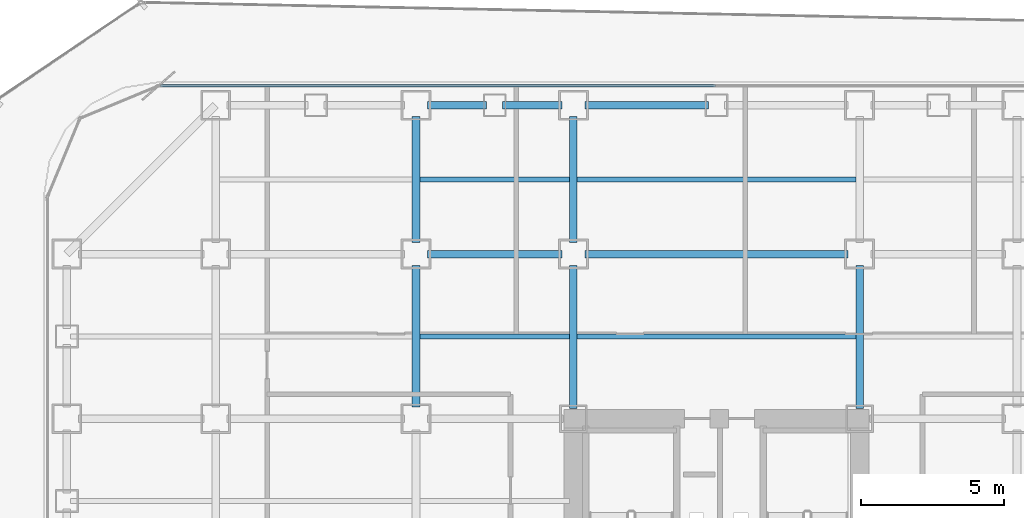
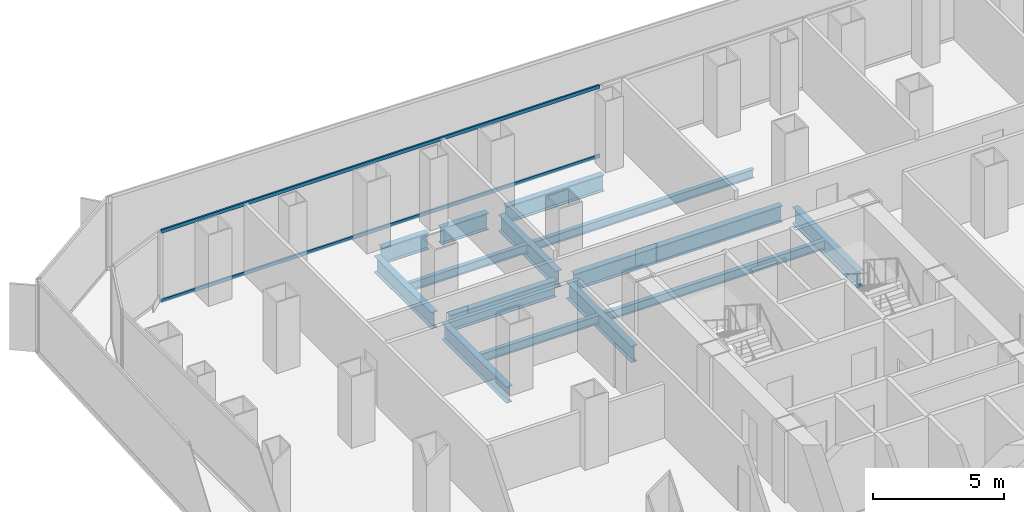
# One storey, part 12 of 22: 14 beams, 2 members, 1 element without a shape of its own.
"""IFC4 building model written with IfcOpenShell, lengths in metres."""

from ifc_helpers import new_model, si_unit, direction, frame, origin, origin_2d, place, context, subcontext, project, spatial, hollow_rectangle, i_section, extrude, source, transform, mapped, material, layer, layer_set, material_profile, profile_set, type_object, element, aggregate, save


model = new_model("IFC4")

# Units and contexts
model_context = context("Model", 3, precision=1e-05, world=origin(), true_north=direction((0.0, 1.0)))
body_context = subcontext(model_context, "Body", "Model", "MODEL_VIEW")
ifc_project = project(units=[si_unit("LENGTHUNIT", "METRE"), si_unit("AREAUNIT", "SQUARE_METRE"), si_unit("VOLUMEUNIT", "CUBIC_METRE"), si_unit("PLANEANGLEUNIT", "RADIAN"), si_unit("MASSUNIT", "GRAM", prefix="KILO")], contexts=[model_context])

# Site, building, storey
site_placement = place(None, origin())
site = spatial("IfcSite", under=ifc_project, at=site_placement, CompositionType="ELEMENT")
building_placement = place(site_placement, origin())
building = spatial("IfcBuilding", under=site, at=building_placement, Name="Kolveth Station Tower", CompositionType="ELEMENT")
storey_placement = place(building_placement, frame((0.0, 0.0, 65.699951171875)))
storey = spatial("IfcBuildingStorey", under=building, at=storey_placement, Name="L17", CompositionType="ELEMENT", Elevation=65.699951171875)

# Beams
ifc_material_1 = material(Name="Steel S355", Category="steel")
ifc_material_profile_1 = material_profile(ifc_material_1, i_section(OverallWidth=0.26904296875, OverallDepth=0.77490234375, WebThickness=0.01708984375, FlangeThickness=0.0283203125, at=origin_2d()), Name="W760x220")
ifc_profile_set_1 = profile_set([ifc_material_profile_1], Name="Steel S355")
beam_type_1 = type_object("IfcBeamType", Name="Beam_SP1", PredefinedType="SPANDREL", material=ifc_profile_set_1)
shared_shape_1 = source(origin(), body_context, "Body", "SweptSolid", [
    extrude(i_section(OverallWidth=0.26904296875, OverallDepth=0.77490234375, WebThickness=0.01708984375, FlangeThickness=0.0283203125, at=origin_2d()), origin(), (0.0, 0.0, 1.0), 2.070068359375),
])
for number, where, z_axis, x_axis, name in (
    (1, (13.39990234375, 39.699951171875, -0.66748046875), (1.0, 0.0, 0.0), (0.0, 1.0, 0.0), "L17 Perimeter Spandrel BM-L17-PN-3"),
    (2, (16.030029296875, 39.699951171875, -0.66748046875), (1.0, 0.0, 0.0), (0.0, 1.0, 0.0), "L17 Perimeter Spandrel BM-L17-PN-4"),
):
    element("IfcBeam", number, at=place(storey_placement, frame(where, z_axis=z_axis, x_axis=x_axis)), inside=storey, type_object=beam_type_1, Name=name, PredefinedType="SPANDREL", context=body_context, shape_type="MappedRepresentation", body=[
        mapped(shared_shape_1, transform((0.0, 0.0, 0.0), x_axis=(1.0, 0.0, 0.0), y_axis=(0.0, 1.0, 0.0), z_axis=(0.0, 0.0, 1.0), scale=1.0)),
    ])
shared_shape_2 = source(origin(), body_context, "Body", "SweptSolid", [
    extrude(i_section(OverallWidth=0.26904296875, OverallDepth=0.77490234375, WebThickness=0.01708984375, FlangeThickness=0.0283203125, at=origin_2d()), origin(), (0.0, 0.0, 1.0), 4.320068359375),
])
beam_1_placement = place(storey_placement, frame((18.89990234375, 39.699951171875, -0.66748046875), z_axis=(1.0, 0.0, 0.0), x_axis=(0.0, 1.0, 0.0)))
element("IfcBeam", 3, at=beam_1_placement, inside=storey, type_object=beam_type_1, Name="L17 Perimeter Spandrel BM-L17-PN-5", PredefinedType="SPANDREL", context=body_context, shape_type="MappedRepresentation", body=[
    mapped(shared_shape_2, transform((0.0, 0.0, 0.0), x_axis=(1.0, 0.0, 0.0), y_axis=(0.0, 1.0, 0.0), z_axis=(0.0, 0.0, 1.0), scale=1.0)),
])
ifc_material_profile_2 = material_profile(ifc_material_1, i_section(OverallWidth=0.26708984375, OverallDepth=0.76611328125, WebThickness=0.014892578125, FlangeThickness=0.023681640625, at=origin_2d()), Name="W760x185")
ifc_profile_set_2 = profile_set([ifc_material_profile_2], Name="Steel S355")
beam_type_2 = type_object("IfcBeamType", Name="Beam_B3", PredefinedType="BEAM", material=ifc_profile_set_2)
shared_shape_3 = source(origin(), body_context, "Body", "SweptSolid", [
    extrude(i_section(OverallWidth=0.26708984375, OverallDepth=0.76611328125, WebThickness=0.014892578125, FlangeThickness=0.023681640625, at=origin_2d()), origin(), (0.0, 0.0, 1.0), 4.400146484375),
])
for number, where, z_axis, x_axis, name in (
    (4, (13.0, 34.89990234375, -0.662841796875), (0.0, 1.0, 0.0), (-1.0, 0.0, 0.0), "L17 Primary Girder BM-L17-GX130-7"),
    (5, (18.5, 34.89990234375, -0.662841796875), (0.0, 1.0, 0.0), (-1.0, 0.0, 0.0), "L17 Primary Girder BM-L17-GX185-7"),
):
    element("IfcBeam", number, at=place(storey_placement, frame(where, z_axis=z_axis, x_axis=x_axis)), inside=storey, type_object=beam_type_2, Name=name, PredefinedType="BEAM", context=body_context, shape_type="MappedRepresentation", body=[
        mapped(shared_shape_3, transform((0.0, 0.0, 0.0), x_axis=(1.0, 0.0, 0.0), y_axis=(0.0, 1.0, 0.0), z_axis=(0.0, 0.0, 1.0), scale=1.0)),
    ])
shared_shape_4 = source(origin(), body_context, "Body", "SweptSolid", [
    extrude(i_section(OverallWidth=0.26708984375, OverallDepth=0.76611328125, WebThickness=0.014892578125, FlangeThickness=0.023681640625, at=origin_2d()), origin(), (0.0, 0.0, 1.0), 4.7001953125),
])
beam_2_placement = place(storey_placement, frame((13.39990234375, 34.5, -0.662841796875), z_axis=(1.0, 0.0, 0.0), x_axis=(0.0, 1.0, 0.0)))
element("IfcBeam", 6, at=beam_2_placement, inside=storey, type_object=beam_type_2, Name="L17 Primary Girder BM-L17-GY345-3", PredefinedType="BEAM", context=body_context, shape_type="MappedRepresentation", body=[
    mapped(shared_shape_4, transform((0.0, 0.0, 0.0), x_axis=(1.0, 0.0, 0.0), y_axis=(0.0, 1.0, 0.0), z_axis=(0.0, 0.0, 1.0), scale=1.0)),
])
shared_shape_5 = source(origin(), body_context, "Body", "SweptSolid", [
    extrude(i_section(OverallWidth=0.26708984375, OverallDepth=0.76611328125, WebThickness=0.014892578125, FlangeThickness=0.023681640625, at=origin_2d()), origin(), (0.0, 0.0, 1.0), 9.2001953125),
])
beam_3_placement = place(storey_placement, frame((18.89990234375, 34.5, -0.662841796875), z_axis=(1.0, 0.0, 0.0), x_axis=(0.0, 1.0, 0.0)))
element("IfcBeam", 7, at=beam_3_placement, inside=storey, type_object=beam_type_2, Name="L17 Primary Girder BM-L17-GY345-4", PredefinedType="BEAM", context=body_context, shape_type="MappedRepresentation", body=[
    mapped(shared_shape_5, transform((0.0, 0.0, 0.0), x_axis=(1.0, 0.0, 0.0), y_axis=(0.0, 1.0, 0.0), z_axis=(0.0, 0.0, 1.0), scale=1.0)),
])
shared_shape_6 = source(origin(), body_context, "Body", "SweptSolid", [
    extrude(i_section(OverallWidth=0.26708984375, OverallDepth=0.76611328125, WebThickness=0.014892578125, FlangeThickness=0.023681640625, at=origin_2d()), origin(), (0.0, 0.0, 1.0), 4.9501953125),
])
beam_4_placement = place(storey_placement, frame((13.0, 29.14990234375, -0.662841796875), z_axis=(0.0, 1.0, 0.0), x_axis=(-1.0, 0.0, 0.0)))
element("IfcBeam", 8, at=beam_4_placement, inside=storey, type_object=beam_type_2, Name="L17 Primary Girder BM-L17-GX130-6", PredefinedType="BEAM", context=body_context, shape_type="MappedRepresentation", body=[
    mapped(shared_shape_6, transform((0.0, 0.0, 0.0), x_axis=(1.0, 0.0, 0.0), y_axis=(0.0, 1.0, 0.0), z_axis=(0.0, 0.0, 1.0), scale=1.0)),
])
shared_shape_7 = source(origin(), body_context, "Body", "SweptSolid", [
    extrude(i_section(OverallWidth=0.26708984375, OverallDepth=0.76611328125, WebThickness=0.014892578125, FlangeThickness=0.023681640625, at=origin_2d()), origin(), (0.0, 0.0, 1.0), 4.989990234375),
])
for number, where, z_axis, x_axis, name in (
    (9, (18.5, 29.110107421875, -0.662841796875), (0.0, 1.0, 0.0), (-1.0, 0.0, 0.0), "L17 Primary Girder BM-L17-GX185-6"),
    (10, (28.5, 29.110107421875, -0.662841796875), (0.0, 1.0, 0.0), (-1.0, 0.0, 0.0), "L17 Primary Girder BM-L17-GX285-6"),
):
    element("IfcBeam", number, at=place(storey_placement, frame(where, z_axis=z_axis, x_axis=x_axis)), inside=storey, type_object=beam_type_2, Name=name, PredefinedType="BEAM", context=body_context, shape_type="MappedRepresentation", body=[
        mapped(shared_shape_7, transform((0.0, 0.0, 0.0), x_axis=(1.0, 0.0, 0.0), y_axis=(0.0, 1.0, 0.0), z_axis=(0.0, 0.0, 1.0), scale=1.0)),
    ])
ifc_material_profile_3 = material_profile(ifc_material_1, i_section(OverallWidth=0.177978515625, OverallDepth=0.406982421875, WebThickness=0.0078125, FlangeThickness=0.0126953125, at=origin_2d()), Name="W410x60")
ifc_profile_set_3 = profile_set([ifc_material_profile_3], Name="Steel S355")
beam_type_3 = type_object("IfcBeamType", Name="Beam_J1", PredefinedType="JOIST", material=ifc_profile_set_3)
shared_shape_8 = source(origin(), body_context, "Body", "SweptSolid", [
    extrude(i_section(OverallWidth=0.177978515625, OverallDepth=0.406982421875, WebThickness=0.0078125, FlangeThickness=0.0126953125, at=origin_2d()), origin(), (0.0, 0.0, 1.0), 5.23681640625),
])
for number, where, z_axis, x_axis, name in (
    (11, (13.131591796875, 31.625, -0.4833984375), (1.0, 0.0, 0.0), (0.0, 1.0, 0.0), "L17 Secondary Joist JST-L17-3-6"),
    (12, (13.131591796875, 37.10009765625, -0.4833984375), (1.0, 0.0, 0.0), (0.0, 1.0, 0.0), "L17 Secondary Joist JST-L17-3-7"),
):
    element("IfcBeam", number, at=place(storey_placement, frame(where, z_axis=z_axis, x_axis=x_axis)), inside=storey, type_object=beam_type_3, Name=name, PredefinedType="JOIST", context=body_context, shape_type="MappedRepresentation", body=[
        mapped(shared_shape_8, transform((0.0, 0.0, 0.0), x_axis=(1.0, 0.0, 0.0), y_axis=(0.0, 1.0, 0.0), z_axis=(0.0, 0.0, 1.0), scale=1.0)),
    ])
shared_shape_9 = source(origin(), body_context, "Body", "SweptSolid", [
    extrude(i_section(OverallWidth=0.177978515625, OverallDepth=0.406982421875, WebThickness=0.0078125, FlangeThickness=0.0126953125, at=origin_2d()), origin(), (0.0, 0.0, 1.0), 9.73681640625),
])
for number, where, z_axis, x_axis, name in (
    (13, (18.631591796875, 31.625, -0.4833984375), (1.0, 0.0, 0.0), (0.0, 1.0, 0.0), "L17 Secondary Joist JST-L17-4-6"),
    (14, (18.631591796875, 37.10009765625, -0.4833984375), (1.0, 0.0, 0.0), (0.0, 1.0, 0.0), "L17 Secondary Joist JST-L17-4-7"),
):
    element("IfcBeam", number, at=place(storey_placement, frame(where, z_axis=z_axis, x_axis=x_axis)), inside=storey, type_object=beam_type_3, Name=name, PredefinedType="JOIST", context=body_context, shape_type="MappedRepresentation", body=[
        mapped(shared_shape_9, transform((0.0, 0.0, 0.0), x_axis=(1.0, 0.0, 0.0), y_axis=(0.0, 1.0, 0.0), z_axis=(0.0, 0.0, 1.0), scale=1.0)),
    ])

# Curtain wall, members
ifc_material_2 = material(Name="Aluminium 6063-T6 and low-E dark glass", Category="aluminium")
ifc_layer = layer(ifc_material_2, 0.179931640625)
ifc_layer_set = layer_set([ifc_layer], Name="Aluminium 6063-T6 and low-E dark glass")
curtain_wall_type = type_object("IfcCurtainWallType", Name="CurtainWall_CW-Z1", PredefinedType="NOTDEFINED", material=ifc_layer_set)
curtain_wall_placement = place(storey_placement, origin())
curtain_wall = element("IfcCurtainWall", 15, at=curtain_wall_placement, inside=storey, type_object=curtain_wall_type, Name="L17 Inner Thermal Curtain Wall 6", PredefinedType="NOTDEFINED")
ifc_material_3 = material(Name="Black anodized aluminium 6063-T6", Category="aluminium")
ifc_material_profile_4 = material_profile(ifc_material_3, hollow_rectangle(XDim=0.074951171875, YDim=0.159912109375, WallThickness=0.0048828125, at=origin_2d()), Name="ALU-75x160x5")
ifc_profile_set_4 = profile_set([ifc_material_profile_4], Name="Black anodized aluminium 6063-T6")
member_type = type_object("IfcMemberType", Name="Transom_TR1", PredefinedType="USERDEFINED", material=ifc_profile_set_4)
shared_shape_10 = source(origin(), body_context, "Body", "SweptSolid", [
    extrude(hollow_rectangle(XDim=0.074951171875, YDim=0.159912109375, WallThickness=0.0048828125, at=origin_2d()), origin(), (0.0, 0.0, 1.0), 19.387451171875),
])
member_1_placement = place(storey_placement, frame((23.46240234375, 40.3798828125, 0.03759765625), z_axis=(-1.0, 0.0, 0.0), x_axis=(0.0, -1.0, 0.0)))
member_1 = element("IfcMember", 16, at=member_1_placement, type_object=member_type, Name="CW-Z1 transom 2.1", ObjectType="TRANSOM", PredefinedType="USERDEFINED", context=body_context, shape_type="MappedRepresentation", body=[
    mapped(shared_shape_10, transform((0.0, 0.0, 0.0), x_axis=(1.0, 0.0, 0.0), y_axis=(0.0, 1.0, 0.0), z_axis=(0.0, 0.0, 1.0), scale=1.0)),
])
member_2_placement = place(storey_placement, frame((23.46240234375, 40.3798828125, 3.282470703125), z_axis=(-1.0, 0.0, 0.0), x_axis=(0.0, -1.0, 0.0)))
member_2 = element("IfcMember", 17, at=member_2_placement, type_object=member_type, Name="CW-Z1 transom 2.2", ObjectType="TRANSOM", PredefinedType="USERDEFINED", context=body_context, shape_type="MappedRepresentation", body=[
    mapped(shared_shape_10, transform((0.0, 0.0, 0.0), x_axis=(1.0, 0.0, 0.0), y_axis=(0.0, 1.0, 0.0), z_axis=(0.0, 0.0, 1.0), scale=1.0)),
])
aggregate(curtain_wall, [member_1, member_2])

save(model, "model.ifc")
